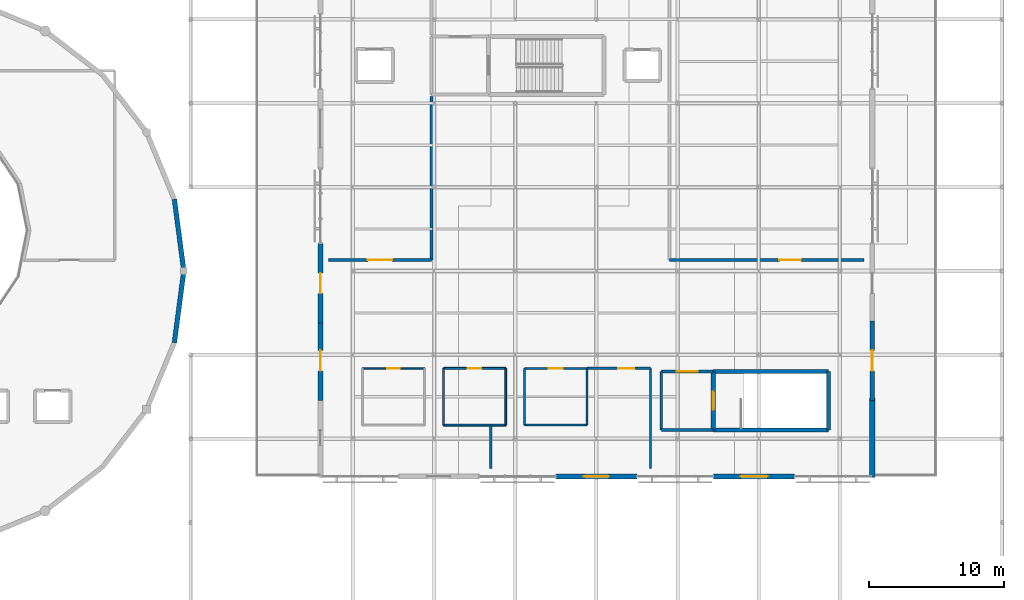
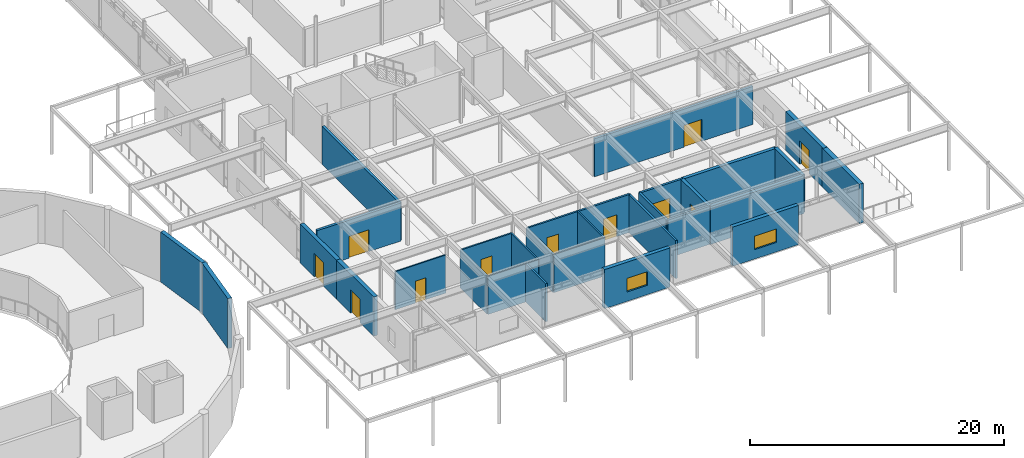
# One storey, part 41 of 48: 30 walls, 11 doors, 2 windows, 13 openings.
"""IFC4 building model written with IfcOpenShell, lengths in metres."""

from ifc_helpers import new_model, si_unit, direction, frame, frame_2d, origin, place, context, subcontext, project, spatial, rectangle, extrude, material, layer, layer_set, type_object, element, fill, save


model = new_model("IFC4")

# Units and contexts
model_context = context("Model", 3, precision=1e-05, world=origin(), true_north=direction((0.0, 1.0)))
body_context = subcontext(model_context, "Body", "Model", "MODEL_VIEW")
ifc_project = project(units=[si_unit("LENGTHUNIT", "METRE"), si_unit("AREAUNIT", "SQUARE_METRE"), si_unit("VOLUMEUNIT", "CUBIC_METRE"), si_unit("PLANEANGLEUNIT", "RADIAN"), si_unit("MASSUNIT", "GRAM", prefix="KILO")], contexts=[model_context])

# Site, building, storey
site_placement = place(None, origin())
site = spatial("IfcSite", under=ifc_project, at=site_placement, CompositionType="ELEMENT")
building_placement = place(site_placement, origin())
building = spatial("IfcBuilding", under=site, at=building_placement, Name="Mirzam Square Science Centre", CompositionType="ELEMENT")
storey_placement = place(building_placement, frame((0.0, 0.0, 20.39990234375)))
storey = spatial("IfcBuildingStorey", under=building, at=storey_placement, Name="L04", CompositionType="ELEMENT", Elevation=20.39990234375)

# Walls
ifc_material_1 = material(Name="Concrete C45/55", Category="concrete")
ifc_layer_1 = layer(ifc_material_1, 0.300048828125)
ifc_layer_set_1 = layer_set([ifc_layer_1], Name="W-CORE-300")
wall_type_1 = type_object("IfcWallType", Name="W-CORE-300", PredefinedType="SHEAR", material=ifc_layer_set_1)
for number, where, z_axis, x_axis, name in (
    (1, (140.639892578125, 50.239990234375, 0.0), (0.0, 0.0, 1.0), (1.0, 0.0, 0.0), "L04 CORE-5 south wall"),
    (2, (149.159912109375, 54.570068359375, 0.0), (0.0, 0.0, 1.0), (-1.0, 0.0, 0.0), "L04 CORE-5 north wall"),
):
    element("IfcWall", number, at=place(storey_placement, frame(where, z_axis=z_axis, x_axis=x_axis)), inside=storey, type_object=wall_type_1, Name=name, PredefinedType="SHEAR", context=body_context, shape_type="SweptSolid", body=[
        extrude(rectangle(XDim=8.52001953125, YDim=0.300048828125, at=frame_2d((4.260009765625, 0.0))), origin(), (0.0, 0.0, 1.0), 3.650146484375),
    ])

# Wall, opening, door
wall_1_placement = place(storey_placement, frame((140.639892578125, 54.570068359375, 0.0), z_axis=(0.0, 0.0, 1.0), x_axis=(0.0, -1.0, 0.0)))
wall_1 = element("IfcWall", 3, at=wall_1_placement, inside=storey, type_object=wall_type_1, Name="L04 CORE-5 west wall", PredefinedType="SHEAR", context=body_context, shape_type="SweptSolid", body=[
    extrude(rectangle(XDim=4.330078125, YDim=0.300048828125, at=frame_2d((2.1650390625, 0.0))), origin(), (0.0, 0.0, 1.0), 3.650146484375),
])
opening_1_placement = place(wall_1_placement, frame((1.489990234375, 0.0, 0.0)))
opening_1 = element("IfcOpeningElement", 4, at=opening_1_placement, cuts=wall_1, Name="Opening DS-01", PredefinedType="OPENING", context=body_context, shape_type="SweptSolid", body=[
    extrude(rectangle(XDim=1.35009765625, YDim=2.199951171875, at=frame_2d((0.675048828125, 1.10009765625))), frame((0.0, 0.159912109375, 0.0), z_axis=(0.0, -1.0, 0.0), x_axis=(1.0, 0.0, 0.0)), (0.0, 0.0, 1.0), 0.320068359375),
])
ifc_material_2 = material(Name="Fire-Rated Powder-Coated Architectural Steel Door", Category="steel")
door_type_1 = type_object("IfcDoorType", Name="DR-STAIR-1350x2200", OperationType="NOTDEFINED", PredefinedType="DOOR", material=ifc_material_2)
door_1_placement = place(opening_1_placement, origin())
door_1 = element("IfcDoor", 5, at=door_1_placement, inside=storey, type_object=door_type_1, Name="DRS-5-L04", OperationType="SINGLE_SWING_RIGHT", OverallHeight=2.199951171875, OverallWidth=1.35009765625, PredefinedType="DOOR", context=body_context, shape_type="SweptSolid", body=[
    extrude(rectangle(XDim=1.35009765625, YDim=2.199951171875, at=frame_2d((0.675048828125, 1.10009765625))), frame((0.0, 0.02490234375, 0.0), z_axis=(0.0, -1.0, 0.0), x_axis=(1.0, 0.0, 0.0)), (0.0, 0.0, 1.0), 0.050048828125),
])
fill(opening_1, door_1)

# Walls
wall_2_placement = place(storey_placement, frame((149.159912109375, 50.239990234375, 0.0), z_axis=(0.0, 0.0, 1.0), x_axis=(0.0, 1.0, 0.0)))
element("IfcWall", 6, at=wall_2_placement, inside=storey, type_object=wall_type_1, Name="L04 CORE-5 east wall", PredefinedType="SHEAR", context=body_context, shape_type="SweptSolid", body=[
    extrude(rectangle(XDim=4.330078125, YDim=0.300048828125, at=frame_2d((2.1650390625, 0.0))), origin(), (0.0, 0.0, 1.0), 3.650146484375),
])
ifc_layer_2 = layer(ifc_material_1, 0.35009765625)
ifc_layer_set_2 = layer_set([ifc_layer_2], Name="W-DRUM-350")
wall_type_2 = type_object("IfcWallType", Name="W-DRUM-350", PredefinedType="SHEAR", material=ifc_layer_set_2)
for number, where, z_axis, x_axis, name in (
    (7, (101.5, 62.0, 0.0), (0.0, 0.0, 1.0), (-0.130517056518, 0.991446064069, 0.0), "L04 planetarium drum wall 01"),
    (8, (100.801513671875, 56.694091796875, 0.0), (0.0, 0.0, 1.0), (0.130517056518, 0.991446064069, 0.0), "L04 planetarium drum wall 24"),
):
    element("IfcWall", number, at=place(storey_placement, frame(where, z_axis=z_axis, x_axis=x_axis)), inside=storey, type_object=wall_type_2, Name=name, PredefinedType="SHEAR", context=body_context, shape_type="SweptSolid", body=[
        extrude(rectangle(XDim=5.351806640625, YDim=0.35009765625, at=frame_2d((2.67578125, 0.0))), origin(), (0.0, 0.0, 1.0), 4.800048828125),
    ])

# Wall, opening, window
ifc_material_3 = material(Name="Insulated Sand-Toned GFRC Concrete C40/50", Category="concrete")
ifc_layer_3 = layer(ifc_material_3, 0.340087890625)
ifc_layer_set_3 = layer_set([ifc_layer_3], Name="W-EXT-GFRC-340")
wall_type_3 = type_object("IfcWallType", Name="W-EXT-GFRC-340", PredefinedType="SOLIDWALL", material=ifc_layer_set_3)
wall_3_placement = place(storey_placement, frame((129.0107421875, 46.800048828125, 0.0), z_axis=(0.0, 0.0, 1.0), x_axis=(1.0, 0.0, 0.0)))
wall_3 = element("IfcWall", 9, at=wall_3_placement, inside=storey, type_object=wall_type_3, Name="L04 external wall EW-EST-S-L04-04", PredefinedType="SOLIDWALL", context=body_context, shape_type="SweptSolid", body=[
    extrude(rectangle(XDim=5.978515625, YDim=0.340087890625, at=frame_2d((2.9892578125, 0.0))), origin(), (0.0, 0.0, 1.0), 3.760009765625),
])
opening_2_placement = place(wall_3_placement, frame((2.064208984375, 0.0, 0.89990234375)))
opening_2 = element("IfcOpeningElement", 10, at=opening_2_placement, cuts=wall_3, Name="Opening W-06", PredefinedType="OPENING", context=body_context, shape_type="SweptSolid", body=[
    extrude(rectangle(XDim=1.85009765625, YDim=1.300048828125, at=frame_2d((0.925048828125, 0.64990234375))), frame((0.0, 0.179931640625, 0.0), z_axis=(0.0, -1.0, 0.0), x_axis=(1.0, 0.0, 0.0)), (0.0, 0.0, 1.0), 0.360107421875),
])
ifc_material_4 = material(Name="Thermally Broken Bronze Aluminium and Low-E Glass", Category="aluminium")
window_type_1 = type_object("IfcWindowType", Name="WIN-1850x1300", PartitioningType="DOUBLE_PANEL_VERTICAL", PredefinedType="WINDOW", material=ifc_material_4)
window_1_placement = place(opening_2_placement, origin())
window_1 = element("IfcWindow", 11, at=window_1_placement, inside=storey, type_object=window_type_1, Name="L04 solar window 094", OverallHeight=1.300048828125, OverallWidth=1.85009765625, PartitioningType="DOUBLE_PANEL_VERTICAL", PredefinedType="WINDOW", context=body_context, shape_type="SweptSolid", body=[
    extrude(rectangle(XDim=1.85009765625, YDim=1.300048828125, at=frame_2d((0.925048828125, 0.64990234375))), frame((0.0, 0.030029296875, 0.0), z_axis=(0.0, -1.0, 0.0), x_axis=(1.0, 0.0, 0.0)), (0.0, 0.0, 1.0), 0.06005859375),
])
fill(opening_2, window_1)

wall_4_placement = place(storey_placement, frame((140.66796875, 46.800048828125, 0.0), z_axis=(0.0, 0.0, 1.0), x_axis=(1.0, 0.0, 0.0)))
wall_4 = element("IfcWall", 12, at=wall_4_placement, inside=storey, type_object=wall_type_3, Name="L04 external wall EW-EST-S-L04-06", PredefinedType="SOLIDWALL", context=body_context, shape_type="SweptSolid", body=[
    extrude(rectangle(XDim=5.978515625, YDim=0.340087890625, at=frame_2d((2.9892578125, 0.0))), origin(), (0.0, 0.0, 1.0), 3.760009765625),
])
opening_3_placement = place(wall_4_placement, frame((1.9892578125, 0.0, 0.89990234375)))
opening_3 = element("IfcOpeningElement", 13, at=opening_3_placement, cuts=wall_4, Name="Opening W-07", PredefinedType="OPENING", context=body_context, shape_type="SweptSolid", body=[
    extrude(rectangle(XDim=2.0, YDim=1.300048828125, at=frame_2d((1.0, 0.64990234375))), frame((0.0, 0.179931640625, 0.0), z_axis=(0.0, -1.0, 0.0), x_axis=(1.0, 0.0, 0.0)), (0.0, 0.0, 1.0), 0.360107421875),
])
window_type_2 = type_object("IfcWindowType", Name="WIN-2000x1300", PartitioningType="DOUBLE_PANEL_VERTICAL", PredefinedType="WINDOW", material=ifc_material_4)
window_2_placement = place(opening_3_placement, origin())
window_2 = element("IfcWindow", 14, at=window_2_placement, inside=storey, type_object=window_type_2, Name="L04 solar window 095", OverallHeight=1.300048828125, OverallWidth=2.0, PartitioningType="DOUBLE_PANEL_VERTICAL", PredefinedType="WINDOW", context=body_context, shape_type="SweptSolid", body=[
    extrude(rectangle(XDim=2.0, YDim=1.300048828125, at=frame_2d((1.0, 0.64990234375))), frame((0.0, 0.030029296875, 0.0), z_axis=(0.0, -1.0, 0.0), x_axis=(1.0, 0.0, 0.0)), (0.0, 0.0, 1.0), 0.06005859375),
])
fill(opening_3, window_2)

# Wall, opening, door
ifc_layer_4 = layer(ifc_material_3, 0.35498046875)
ifc_layer_set_4 = layer_set([ifc_layer_4], Name="W-EXT-GFRC-355")
wall_type_4 = type_object("IfcWallType", Name="W-EXT-GFRC-355", PredefinedType="SOLIDWALL", material=ifc_layer_set_4)
wall_5_placement = place(storey_placement, frame((152.39990234375, 52.439208984375, 0.0), z_axis=(0.0, 0.0, 1.0), x_axis=(0.0, 1.0, 0.0)))
wall_5 = element("IfcWall", 15, at=wall_5_placement, inside=storey, type_object=wall_type_4, Name="L04 external wall EW-EST-E-L04-02", PredefinedType="SOLIDWALL", context=body_context, shape_type="SweptSolid", body=[
    extrude(rectangle(XDim=5.864501953125, YDim=0.35498046875, at=frame_2d((2.93212890625, 0.0))), origin(), (0.0, 0.0, 1.0), 3.760009765625),
])
opening_4_placement = place(wall_5_placement, frame((2.18212890625, 0.0, 0.0)))
opening_4 = element("IfcOpeningElement", 16, at=opening_4_placement, cuts=wall_5, Name="Opening TD-02", PredefinedType="OPENING", context=body_context, shape_type="SweptSolid", body=[
    extrude(rectangle(XDim=1.5, YDim=2.25, at=frame_2d((0.75, 1.125))), frame((0.0, 0.1875, 0.0), z_axis=(0.0, -1.0, 0.0), x_axis=(1.0, 0.0, 0.0)), (0.0, 0.0, 1.0), 0.375),
])
ifc_material_5 = material(Name="Thermally Broken Bronze-Anodised Aluminium and Laminated Glass", Category="aluminium")
door_type_2 = type_object("IfcDoorType", Name="DR-TERR-1500x2250", OperationType="DOUBLE_DOOR_SINGLE_SWING", PredefinedType="DOOR", material=ifc_material_5)
door_2_placement = place(opening_4_placement, frame((1.5, 0.0, 0.0), z_axis=(0.0, 0.0, 1.0), x_axis=(-1.0, 0.0, 0.0)))
door_2 = element("IfcDoor", 17, at=door_2_placement, inside=storey, type_object=door_type_2, Name="ED-L04-025", OperationType="DOUBLE_DOOR_SINGLE_SWING", OverallHeight=2.25, OverallWidth=1.5, PredefinedType="DOOR", context=body_context, shape_type="SweptSolid", body=[
    extrude(rectangle(XDim=1.5, YDim=2.25, at=frame_2d((0.75, 1.125))), frame((0.0, 0.02490234375, 0.0), z_axis=(0.0, -1.0, 0.0), x_axis=(1.0, 0.0, 0.0)), (0.0, 0.0, 1.0), 0.050048828125),
])
fill(opening_4, door_2)

wall_6_placement = place(storey_placement, frame((111.60009765625, 64.017822265625, 0.0), z_axis=(0.0, 0.0, 1.0), x_axis=(0.0, -1.0, 0.0)))
wall_6 = element("IfcWall", 18, at=wall_6_placement, inside=storey, type_object=wall_type_4, Name="L04 external wall EW-EST-W-L04-05", PredefinedType="SOLIDWALL", context=body_context, shape_type="SweptSolid", body=[
    extrude(rectangle(XDim=5.8642578125, YDim=0.35498046875, at=frame_2d((2.93212890625, 0.0))), origin(), (0.0, 0.0, 1.0), 3.760009765625),
])
opening_5_placement = place(wall_6_placement, frame((2.18212890625, 0.0, 0.0)))
opening_5 = element("IfcOpeningElement", 19, at=opening_5_placement, cuts=wall_6, Name="Opening TD-02", PredefinedType="OPENING", context=body_context, shape_type="SweptSolid", body=[
    extrude(rectangle(XDim=1.5, YDim=2.25, at=frame_2d((0.75, 1.125))), frame((0.0, 0.1875, 0.0), z_axis=(0.0, -1.0, 0.0), x_axis=(1.0, 0.0, 0.0)), (0.0, 0.0, 1.0), 0.375),
])
door_3_placement = place(opening_5_placement, frame((1.5, 0.0, 0.0), z_axis=(0.0, 0.0, 1.0), x_axis=(-1.0, 0.0, 0.0)))
door_3 = element("IfcDoor", 20, at=door_3_placement, inside=storey, type_object=door_type_2, Name="ED-L04-027", OperationType="DOUBLE_DOOR_SINGLE_SWING", OverallHeight=2.25, OverallWidth=1.5, PredefinedType="DOOR", context=body_context, shape_type="SweptSolid", body=[
    extrude(rectangle(XDim=1.5, YDim=2.25, at=frame_2d((0.75, 1.125))), frame((0.0, 0.02490234375, 0.0), z_axis=(0.0, -1.0, 0.0), x_axis=(1.0, 0.0, 0.0)), (0.0, 0.0, 1.0), 0.050048828125),
])
fill(opening_5, door_3)

wall_7_placement = place(storey_placement, frame((111.60009765625, 58.3037109375, 0.0), z_axis=(0.0, 0.0, 1.0), x_axis=(0.0, -1.0, 0.0)))
wall_7 = element("IfcWall", 21, at=wall_7_placement, inside=storey, type_object=wall_type_4, Name="L04 external wall EW-EST-W-L04-06", PredefinedType="SOLIDWALL", context=body_context, shape_type="SweptSolid", body=[
    extrude(rectangle(XDim=5.864501953125, YDim=0.35498046875, at=frame_2d((2.93212890625, 0.0))), origin(), (0.0, 0.0, 1.0), 3.760009765625),
])
opening_6_placement = place(wall_7_placement, frame((2.18212890625, 0.0, 0.0)))
opening_6 = element("IfcOpeningElement", 22, at=opening_6_placement, cuts=wall_7, Name="Opening TD-02", PredefinedType="OPENING", context=body_context, shape_type="SweptSolid", body=[
    extrude(rectangle(XDim=1.5, YDim=2.25, at=frame_2d((0.75, 1.125))), frame((0.0, 0.1875, 0.0), z_axis=(0.0, -1.0, 0.0), x_axis=(1.0, 0.0, 0.0)), (0.0, 0.0, 1.0), 0.375),
])
door_4_placement = place(opening_6_placement, frame((1.5, 0.0, 0.0), z_axis=(0.0, 0.0, 1.0), x_axis=(-1.0, 0.0, 0.0)))
door_4 = element("IfcDoor", 23, at=door_4_placement, inside=storey, type_object=door_type_2, Name="ED-L04-028", OperationType="DOUBLE_DOOR_SINGLE_SWING", OverallHeight=2.25, OverallWidth=1.5, PredefinedType="DOOR", context=body_context, shape_type="SweptSolid", body=[
    extrude(rectangle(XDim=1.5, YDim=2.25, at=frame_2d((0.75, 1.125))), frame((0.0, 0.02490234375, 0.0), z_axis=(0.0, -1.0, 0.0), x_axis=(1.0, 0.0, 0.0)), (0.0, 0.0, 1.0), 0.050048828125),
])
fill(opening_6, door_4)

# Walls
ifc_layer_5 = layer(ifc_material_3, 0.385009765625)
ifc_layer_set_5 = layer_set([ifc_layer_5], Name="W-EXT-GFRC-385")
wall_type_5 = type_object("IfcWallType", Name="W-EXT-GFRC-385", PredefinedType="SOLIDWALL", material=ifc_layer_set_5)
wall_8_placement = place(storey_placement, frame((152.39990234375, 46.72509765625, 0.0), z_axis=(0.0, 0.0, 1.0), x_axis=(0.0, 1.0, 0.0)))
element("IfcWall", 24, at=wall_8_placement, inside=storey, type_object=wall_type_5, Name="L04 external wall EW-EST-E-L04-01", PredefinedType="SOLIDWALL", context=body_context, shape_type="SweptSolid", body=[
    extrude(rectangle(XDim=5.8642578125, YDim=0.385009765625, at=frame_2d((2.93212890625, 0.0))), origin(), (0.0, 0.0, 1.0), 3.760009765625),
])
ifc_layer_6 = layer(ifc_material_1, 0.199951171875)
ifc_layer_set_6 = layer_set([ifc_layer_6], Name="W-LOBBY-200")
wall_type_6 = type_object("IfcWallType", Name="W-LOBBY-200", PredefinedType="SHEAR", material=ifc_layer_set_6)
wall_9_placement = place(storey_placement, frame((136.800048828125, 50.239990234375, 0.0), z_axis=(0.0, 0.0, 1.0), x_axis=(1.0, 0.0, 0.0)))
element("IfcWall", 25, at=wall_9_placement, inside=storey, type_object=wall_type_6, Name="L04 CORE-5 lobby south wall", PredefinedType="SHEAR", context=body_context, shape_type="SweptSolid", body=[
    extrude(rectangle(XDim=3.83984375, YDim=0.199951171875, at=frame_2d((1.919921875, 0.0))), origin(), (0.0, 0.0, 1.0), 3.650146484375),
])

# Wall, opening, door
wall_10_placement = place(storey_placement, frame((140.639892578125, 54.570068359375, 0.0), z_axis=(0.0, 0.0, 1.0), x_axis=(-1.0, 0.0, 0.0)))
wall_10 = element("IfcWall", 26, at=wall_10_placement, inside=storey, type_object=wall_type_6, Name="L04 CORE-5 lobby north wall", PredefinedType="SHEAR", context=body_context, shape_type="SweptSolid", body=[
    extrude(rectangle(XDim=3.83984375, YDim=0.199951171875, at=frame_2d((1.919921875, 0.0))), origin(), (0.0, 0.0, 1.0), 3.650146484375),
])
opening_7_placement = place(wall_10_placement, frame((1.14501953125, 0.0, 0.0)))
opening_7 = element("IfcOpeningElement", 27, at=opening_7_placement, cuts=wall_10, Name="Opening DL-01", PredefinedType="OPENING", context=body_context, shape_type="SweptSolid", body=[
    extrude(rectangle(XDim=1.550048828125, YDim=2.199951171875, at=frame_2d((0.77490234375, 1.10009765625))), frame((0.0, 0.10986328125, 0.0), z_axis=(0.0, -1.0, 0.0), x_axis=(1.0, 0.0, 0.0)), (0.0, 0.0, 1.0), 0.219970703125),
])
ifc_material_6 = material(Name="Fire-Rated Glazed Architectural Steel Lobby Door", Category="steel")
door_type_3 = type_object("IfcDoorType", Name="DR-LOBBY-1550x2200", OperationType="DOUBLE_DOOR_SINGLE_SWING", PredefinedType="DOOR", material=ifc_material_6)
door_5_placement = place(opening_7_placement, origin())
door_5 = element("IfcDoor", 28, at=door_5_placement, inside=storey, type_object=door_type_3, Name="DRL-5-L04", OperationType="SINGLE_SWING_LEFT", OverallHeight=2.199951171875, OverallWidth=1.550048828125, PredefinedType="DOOR", context=body_context, shape_type="SweptSolid", body=[
    extrude(rectangle(XDim=1.550048828125, YDim=2.199951171875, at=frame_2d((0.77490234375, 1.10009765625))), frame((0.0, 0.02490234375, 0.0), z_axis=(0.0, -1.0, 0.0), x_axis=(1.0, 0.0, 0.0)), (0.0, 0.0, 1.0), 0.050048828125),
])
fill(opening_7, door_5)

# Wall
wall_11_placement = place(storey_placement, frame((136.800048828125, 54.570068359375, 0.0), z_axis=(0.0, 0.0, 1.0), x_axis=(0.0, -1.0, 0.0)))
element("IfcWall", 29, at=wall_11_placement, inside=storey, type_object=wall_type_6, Name="L04 CORE-5 lobby west wall", PredefinedType="SHEAR", context=body_context, shape_type="SweptSolid", body=[
    extrude(rectangle(XDim=4.330078125, YDim=0.199951171875, at=frame_2d((2.1650390625, 0.0))), origin(), (0.0, 0.0, 1.0), 3.650146484375),
])

# Wall, opening, door
ifc_material_7 = material(Name="Acoustic Gypsum Stud Partition", Category="gypsum")
ifc_layer_7 = layer(ifc_material_7, 0.1201171875)
ifc_layer_set_7 = layer_set([ifc_layer_7], Name="W-PART-120")
wall_type_7 = type_object("IfcWallType", Name="W-PART-120", PredefinedType="PARTITIONING", material=ifc_layer_set_7)
wall_12_placement = place(storey_placement, frame((114.699951171875, 54.800048828125, 0.0), z_axis=(0.0, 0.0, 1.0), x_axis=(1.0, 0.0, 0.0)))
wall_12 = element("IfcWall", 30, at=wall_12_placement, inside=storey, type_object=wall_type_7, Name="L04 Male WC L04 partition 262", PredefinedType="PARTITIONING", context=body_context, shape_type="SweptSolid", body=[
    extrude(rectangle(XDim=4.60009765625, YDim=0.1201171875, at=frame_2d((2.300048828125, 0.0))), origin(), (0.0, 0.0, 1.0), 3.650146484375),
])
opening_8_placement = place(wall_12_placement, frame((1.824951171875, 0.0, 0.0)))
opening_8 = element("IfcOpeningElement", 31, at=opening_8_placement, cuts=wall_12, Name="Opening D-02", PredefinedType="OPENING", context=body_context, shape_type="SweptSolid", body=[
    extrude(rectangle(XDim=0.949951171875, YDim=2.10009765625, at=frame_2d((0.47509765625, 1.050048828125))), frame((0.0, 0.070068359375, 0.0), z_axis=(0.0, -1.0, 0.0), x_axis=(1.0, 0.0, 0.0)), (0.0, 0.0, 1.0), 0.14013671875),
])
ifc_material_8 = material(Name="Solid Core Acoustic Oak Timber Door", Category="wood")
door_type_4 = type_object("IfcDoorType", Name="DR-INT-950x2100", OperationType="NOTDEFINED", PredefinedType="DOOR", material=ifc_material_8)
door_6_placement = place(opening_8_placement, origin())
door_6 = element("IfcDoor", 32, at=door_6_placement, inside=storey, type_object=door_type_4, Name="ID-L04-0073", OperationType="SINGLE_SWING_RIGHT", OverallHeight=2.10009765625, OverallWidth=0.949951171875, PredefinedType="DOOR", context=body_context, shape_type="SweptSolid", body=[
    extrude(rectangle(XDim=0.949951171875, YDim=2.10009765625, at=frame_2d((0.47509765625, 1.050048828125))), frame((0.0, 0.02490234375, 0.0), z_axis=(0.0, -1.0, 0.0), x_axis=(1.0, 0.0, 0.0)), (0.0, 0.0, 1.0), 0.050048828125),
])
fill(opening_8, door_6)

ifc_material_9 = material(Name="Double-Board Gypsum Partition", Category="gypsum")
ifc_layer_8 = layer(ifc_material_9, 0.135009765625)
ifc_layer_set_8 = layer_set([ifc_layer_8], Name="W-PART-135")
wall_type_8 = type_object("IfcWallType", Name="W-PART-135", PredefinedType="PARTITIONING", material=ifc_layer_set_8)
wall_13_placement = place(storey_placement, frame((120.699951171875, 54.800048828125, 0.0), z_axis=(0.0, 0.0, 1.0), x_axis=(1.0, 0.0, 0.0)))
wall_13 = element("IfcWall", 33, at=wall_13_placement, inside=storey, type_object=wall_type_8, Name="L04 Female WC L04 partition 266", PredefinedType="PARTITIONING", context=body_context, shape_type="SweptSolid", body=[
    extrude(rectangle(XDim=4.60009765625, YDim=0.135009765625, at=frame_2d((2.300048828125, 0.0))), origin(), (0.0, 0.0, 1.0), 3.650146484375),
])
opening_9_placement = place(wall_13_placement, frame((1.800048828125, 0.0, 0.0)))
opening_9 = element("IfcOpeningElement", 34, at=opening_9_placement, cuts=wall_13, Name="Opening D-03", PredefinedType="OPENING", context=body_context, shape_type="SweptSolid", body=[
    extrude(rectangle(XDim=1.0, YDim=2.10009765625, at=frame_2d((0.5, 1.050048828125))), frame((0.0, 0.077392578125, 0.0), z_axis=(0.0, -1.0, 0.0), x_axis=(1.0, 0.0, 0.0)), (0.0, 0.0, 1.0), 0.155029296875),
])
door_type_5 = type_object("IfcDoorType", Name="DR-INT-1000x2100", OperationType="NOTDEFINED", PredefinedType="DOOR", material=ifc_material_8)
door_7_placement = place(opening_9_placement, origin())
door_7 = element("IfcDoor", 35, at=door_7_placement, inside=storey, type_object=door_type_5, Name="ID-L04-0074", OperationType="SINGLE_SWING_LEFT", OverallHeight=2.10009765625, OverallWidth=1.0, PredefinedType="DOOR", context=body_context, shape_type="SweptSolid", body=[
    extrude(rectangle(XDim=1.0, YDim=2.10009765625, at=frame_2d((0.5, 1.050048828125))), frame((0.0, 0.02490234375, 0.0), z_axis=(0.0, -1.0, 0.0), x_axis=(1.0, 0.0, 0.0)), (0.0, 0.0, 1.0), 0.050048828125),
])
fill(opening_9, door_7)

# Walls
wall_14_placement = place(storey_placement, frame((125.300048828125, 54.800048828125, 0.0), z_axis=(0.0, 0.0, 1.0), x_axis=(0.0, -1.0, 0.0)))
element("IfcWall", 36, at=wall_14_placement, inside=storey, type_object=wall_type_8, Name="L04 Female WC L04 partition 267", PredefinedType="PARTITIONING", context=body_context, shape_type="SweptSolid", body=[
    extrude(rectangle(XDim=4.199951171875, YDim=0.135009765625, at=frame_2d((2.10009765625, 0.0))), origin(), (0.0, 0.0, 1.0), 3.650146484375),
])
wall_15_placement = place(storey_placement, frame((125.300048828125, 50.60009765625, 0.0), z_axis=(0.0, 0.0, 1.0), x_axis=(-1.0, 0.0, 0.0)))
element("IfcWall", 37, at=wall_15_placement, inside=storey, type_object=wall_type_8, Name="L04 Female WC L04 partition 268", PredefinedType="PARTITIONING", context=body_context, shape_type="SweptSolid", body=[
    extrude(rectangle(XDim=4.60009765625, YDim=0.135009765625, at=frame_2d((2.300048828125, 0.0))), origin(), (0.0, 0.0, 1.0), 3.650146484375),
])
wall_16_placement = place(storey_placement, frame((120.699951171875, 50.60009765625, 0.0), z_axis=(0.0, 0.0, 1.0), x_axis=(0.0, 1.0, 0.0)))
element("IfcWall", 38, at=wall_16_placement, inside=storey, type_object=wall_type_8, Name="L04 Female WC L04 partition 269", PredefinedType="PARTITIONING", context=body_context, shape_type="SweptSolid", body=[
    extrude(rectangle(XDim=4.199951171875, YDim=0.135009765625, at=frame_2d((2.10009765625, 0.0))), origin(), (0.0, 0.0, 1.0), 3.650146484375),
])

# Wall, opening, door
ifc_material_10 = material(Name="Laboratory Acoustic Partition", Category="gypsum")
ifc_layer_9 = layer(ifc_material_10, 0.14990234375)
ifc_layer_set_9 = layer_set([ifc_layer_9], Name="W-PART-150")
wall_type_9 = type_object("IfcWallType", Name="W-PART-150", PredefinedType="PARTITIONING", material=ifc_layer_set_9)
wall_17_placement = place(storey_placement, frame((126.699951171875, 54.800048828125, 0.0), z_axis=(0.0, 0.0, 1.0), x_axis=(1.0, 0.0, 0.0)))
wall_17 = element("IfcWall", 39, at=wall_17_placement, inside=storey, type_object=wall_type_9, Name="L04 Accessible WC L04 partition 270", PredefinedType="PARTITIONING", context=body_context, shape_type="SweptSolid", body=[
    extrude(rectangle(XDim=4.60009765625, YDim=0.14990234375, at=frame_2d((2.300048828125, 0.0))), origin(), (0.0, 0.0, 1.0), 3.650146484375),
])
opening_10_placement = place(wall_17_placement, frame((1.77490234375, 0.0, 0.0)))
opening_10 = element("IfcOpeningElement", 40, at=opening_10_placement, cuts=wall_17, Name="Opening D-04", PredefinedType="OPENING", context=body_context, shape_type="SweptSolid", body=[
    extrude(rectangle(XDim=1.050048828125, YDim=2.10009765625, at=frame_2d((0.52490234375, 1.050048828125))), frame((0.0, 0.0849609375, 0.0), z_axis=(0.0, -1.0, 0.0), x_axis=(1.0, 0.0, 0.0)), (0.0, 0.0, 1.0), 0.169921875),
])
door_type_6 = type_object("IfcDoorType", Name="DR-INT-1050x2100", OperationType="NOTDEFINED", PredefinedType="DOOR", material=ifc_material_8)
door_8_placement = place(opening_10_placement, origin())
door_8 = element("IfcDoor", 41, at=door_8_placement, inside=storey, type_object=door_type_6, Name="ID-L04-0075", OperationType="SINGLE_SWING_RIGHT", OverallHeight=2.10009765625, OverallWidth=1.050048828125, PredefinedType="DOOR", context=body_context, shape_type="SweptSolid", body=[
    extrude(rectangle(XDim=1.050048828125, YDim=2.10009765625, at=frame_2d((0.52490234375, 1.050048828125))), frame((0.0, 0.02490234375, 0.0), z_axis=(0.0, -1.0, 0.0), x_axis=(1.0, 0.0, 0.0)), (0.0, 0.0, 1.0), 0.050048828125),
])
fill(opening_10, door_8)

# Walls
wall_18_placement = place(storey_placement, frame((131.300048828125, 54.800048828125, 0.0), z_axis=(0.0, 0.0, 1.0), x_axis=(0.0, -1.0, 0.0)))
element("IfcWall", 42, at=wall_18_placement, inside=storey, type_object=wall_type_9, Name="L04 Accessible WC L04 partition 271", PredefinedType="PARTITIONING", context=body_context, shape_type="SweptSolid", body=[
    extrude(rectangle(XDim=4.199951171875, YDim=0.14990234375, at=frame_2d((2.10009765625, 0.0))), origin(), (0.0, 0.0, 1.0), 3.650146484375),
])
wall_19_placement = place(storey_placement, frame((131.300048828125, 50.60009765625, 0.0), z_axis=(0.0, 0.0, 1.0), x_axis=(-1.0, 0.0, 0.0)))
element("IfcWall", 43, at=wall_19_placement, inside=storey, type_object=wall_type_9, Name="L04 Accessible WC L04 partition 272", PredefinedType="PARTITIONING", context=body_context, shape_type="SweptSolid", body=[
    extrude(rectangle(XDim=4.60009765625, YDim=0.14990234375, at=frame_2d((2.300048828125, 0.0))), origin(), (0.0, 0.0, 1.0), 3.650146484375),
])
wall_20_placement = place(storey_placement, frame((126.699951171875, 50.60009765625, 0.0), z_axis=(0.0, 0.0, 1.0), x_axis=(0.0, 1.0, 0.0)))
element("IfcWall", 44, at=wall_20_placement, inside=storey, type_object=wall_type_9, Name="L04 Accessible WC L04 partition 273", PredefinedType="PARTITIONING", context=body_context, shape_type="SweptSolid", body=[
    extrude(rectangle(XDim=4.199951171875, YDim=0.14990234375, at=frame_2d((2.10009765625, 0.0))), origin(), (0.0, 0.0, 1.0), 3.650146484375),
])
ifc_material_11 = material(Name="Workshop Acoustic Masonry Partition", Category="masonry")
ifc_layer_10 = layer(ifc_material_11, 0.179931640625)
ifc_layer_set_10 = layer_set([ifc_layer_10], Name="W-PART-180")
wall_type_10 = type_object("IfcWallType", Name="W-PART-180", PredefinedType="PARTITIONING", material=ifc_layer_set_10)
wall_21_placement = place(storey_placement, frame((136.0, 54.800048828125, 0.0), z_axis=(0.0, 0.0, 1.0), x_axis=(0.0, -1.0, 0.0)))
element("IfcWall", 45, at=wall_21_placement, inside=storey, type_object=wall_type_10, Name="L04 Astrophysics Data Dry Laboratory 4 partition 277", PredefinedType="PARTITIONING", context=body_context, shape_type="SweptSolid", body=[
    extrude(rectangle(XDim=7.400146484375, YDim=0.179931640625, at=frame_2d((3.7001953125, 0.0))), origin(), (0.0, 0.0, 1.0), 3.650146484375),
])
wall_22_placement = place(storey_placement, frame((124.199951171875, 47.39990234375, 0.0), z_axis=(0.0, 0.0, 1.0), x_axis=(0.0, 1.0, 0.0)))
element("IfcWall", 46, at=wall_22_placement, inside=storey, type_object=wall_type_10, Name="L04 Astrophysics Data Dry Laboratory 4 partition 278", PredefinedType="PARTITIONING", context=body_context, shape_type="SweptSolid", body=[
    extrude(rectangle(XDim=3.190185546875, YDim=0.179931640625, at=frame_2d((1.59521484375, 0.0))), origin(), (0.0, 0.0, 1.0), 3.650146484375),
])

# Wall, opening, door
wall_23_placement = place(storey_placement, frame((131.31005859375, 54.800048828125, 0.0), z_axis=(0.0, 0.0, 1.0), x_axis=(1.0, 0.0, 0.0)))
wall_23 = element("IfcWall", 47, at=wall_23_placement, inside=storey, type_object=wall_type_10, Name="L04 Astrophysics Data Dry Laboratory 4 partition 279", PredefinedType="PARTITIONING", context=body_context, shape_type="SweptSolid", body=[
    extrude(rectangle(XDim=4.68994140625, YDim=0.179931640625, at=frame_2d((2.344970703125, 0.0))), origin(), (0.0, 0.0, 1.0), 3.650146484375),
])
opening_11_placement = place(wall_23_placement, frame((2.307861328125, 0.0, 0.0)))
opening_11 = element("IfcOpeningElement", 48, at=opening_11_placement, cuts=wall_23, Name="Opening D-06", PredefinedType="OPENING", context=body_context, shape_type="SweptSolid", body=[
    extrude(rectangle(XDim=1.199951171875, YDim=2.10009765625, at=frame_2d((0.60009765625, 1.050048828125))), frame((0.0, 0.099853515625, 0.0), z_axis=(0.0, -1.0, 0.0), x_axis=(1.0, 0.0, 0.0)), (0.0, 0.0, 1.0), 0.199951171875),
])
door_type_7 = type_object("IfcDoorType", Name="DR-INT-1200x2100", OperationType="NOTDEFINED", PredefinedType="DOOR", material=ifc_material_8)
door_9_placement = place(opening_11_placement, origin())
door_9 = element("IfcDoor", 49, at=door_9_placement, inside=storey, type_object=door_type_7, Name="ID-L04-0077", OperationType="SINGLE_SWING_RIGHT", OverallHeight=2.10009765625, OverallWidth=1.199951171875, PredefinedType="DOOR", context=body_context, shape_type="SweptSolid", body=[
    extrude(rectangle(XDim=1.199951171875, YDim=2.10009765625, at=frame_2d((0.60009765625, 1.050048828125))), frame((0.0, 0.02490234375, 0.0), z_axis=(0.0, -1.0, 0.0), x_axis=(1.0, 0.0, 0.0)), (0.0, 0.0, 1.0), 0.050048828125),
])
fill(opening_11, door_9)

ifc_material_12 = material(Name="Chemical Prep Fire Partition Concrete C30/37", Category="concrete")
ifc_layer_11 = layer(ifc_material_12, 0.215087890625)
ifc_layer_set_11 = layer_set([ifc_layer_11], Name="W-PART-215")
wall_type_11 = type_object("IfcWallType", Name="W-PART-215", PredefinedType="PARTITIONING", material=ifc_layer_set_11)
wall_24_placement = place(storey_placement, frame((151.800048828125, 62.800048828125, 0.0), z_axis=(0.0, 0.0, 1.0), x_axis=(-1.0, 0.0, 0.0)))
wall_24 = element("IfcWall", 50, at=wall_24_placement, inside=storey, type_object=wall_type_11, Name="L04 Telescope Optics School Workshop 6 partition 288", PredefinedType="PARTITIONING", context=body_context, shape_type="SweptSolid", body=[
    extrude(rectangle(XDim=14.400146484375, YDim=0.215087890625, at=frame_2d((7.2001953125, 0.0))), origin(), (0.0, 0.0, 1.0), 3.650146484375),
])
opening_12_placement = place(wall_24_placement, frame((4.672119140625, 0.0, 0.0)))
opening_12 = element("IfcOpeningElement", 51, at=opening_12_placement, cuts=wall_24, Name="Opening D-08", PredefinedType="OPENING", context=body_context, shape_type="SweptSolid", body=[
    extrude(rectangle(XDim=1.60009765625, YDim=2.10009765625, at=frame_2d((0.800048828125, 1.050048828125))), frame((0.0, 0.117431640625, 0.0), z_axis=(0.0, -1.0, 0.0), x_axis=(1.0, 0.0, 0.0)), (0.0, 0.0, 1.0), 0.235107421875),
])
door_type_8 = type_object("IfcDoorType", Name="DR-INT-1600x2100", OperationType="DOUBLE_DOOR_SINGLE_SWING", PredefinedType="DOOR", material=ifc_material_8)
door_10_placement = place(opening_12_placement, origin())
door_10 = element("IfcDoor", 52, at=door_10_placement, inside=storey, type_object=door_type_8, Name="ID-L04-0079", OperationType="DOUBLE_DOOR_SINGLE_SWING", OverallHeight=2.10009765625, OverallWidth=1.60009765625, PredefinedType="DOOR", context=body_context, shape_type="SweptSolid", body=[
    extrude(rectangle(XDim=1.60009765625, YDim=2.10009765625, at=frame_2d((0.800048828125, 1.050048828125))), frame((0.0, 0.02490234375, 0.0), z_axis=(0.0, -1.0, 0.0), x_axis=(1.0, 0.0, 0.0)), (0.0, 0.0, 1.0), 0.050048828125),
])
fill(opening_12, door_10)

ifc_material_13 = material(Name="Gallery Display Backing Wall Concrete C30/37", Category="concrete")
ifc_layer_12 = layer(ifc_material_13, 0.22998046875)
ifc_layer_set_12 = layer_set([ifc_layer_12], Name="W-PART-230")
wall_type_12 = type_object("IfcWallType", Name="W-PART-230", PredefinedType="PARTITIONING", material=ifc_layer_set_12)
wall_25_placement = place(storey_placement, frame((119.800048828125, 62.800048828125, 0.0), z_axis=(0.0, 0.0, 1.0), x_axis=(-1.0, 0.0, 0.0)))
wall_25 = element("IfcWall", 53, at=wall_25_placement, inside=storey, type_object=wall_type_12, Name="L04 Mirzam Public Science Library partition 290", PredefinedType="PARTITIONING", context=body_context, shape_type="SweptSolid", body=[
    extrude(rectangle(XDim=7.60009765625, YDim=0.22998046875, at=frame_2d((3.800048828125, 0.0))), origin(), (0.0, 0.0, 1.0), 3.650146484375),
])
opening_13_placement = place(wall_25_placement, frame((2.89990234375, 0.0, 0.0)))
opening_13 = element("IfcOpeningElement", 54, at=opening_13_placement, cuts=wall_25, Name="Opening D-09", PredefinedType="OPENING", context=body_context, shape_type="SweptSolid", body=[
    extrude(rectangle(XDim=1.800048828125, YDim=2.10009765625, at=frame_2d((0.89990234375, 1.050048828125))), frame((0.0, 0.125, 0.0), z_axis=(0.0, -1.0, 0.0), x_axis=(1.0, 0.0, 0.0)), (0.0, 0.0, 1.0), 0.25),
])
ifc_material_14 = material(Name="Powder-Coated Architectural Steel Acoustic Door", Category="steel")
door_type_9 = type_object("IfcDoorType", Name="DR-INT-1800x2100", OperationType="DOUBLE_DOOR_SINGLE_SWING", PredefinedType="DOOR", material=ifc_material_14)
door_11_placement = place(opening_13_placement, origin())
door_11 = element("IfcDoor", 55, at=door_11_placement, inside=storey, type_object=door_type_9, Name="ID-L04-0080", OperationType="DOUBLE_DOOR_SINGLE_SWING", OverallHeight=2.10009765625, OverallWidth=1.800048828125, PredefinedType="DOOR", context=body_context, shape_type="SweptSolid", body=[
    extrude(rectangle(XDim=1.800048828125, YDim=2.10009765625, at=frame_2d((0.89990234375, 1.050048828125))), frame((0.0, 0.02490234375, 0.0), z_axis=(0.0, -1.0, 0.0), x_axis=(1.0, 0.0, 0.0)), (0.0, 0.0, 1.0), 0.050048828125),
])
fill(opening_13, door_11)

# Wall
wall_26_placement = place(storey_placement, frame((119.800048828125, 74.89990234375, 0.0), z_axis=(0.0, 0.0, 1.0), x_axis=(0.0, -1.0, 0.0)))
element("IfcWall", 56, at=wall_26_placement, inside=storey, type_object=wall_type_12, Name="L04 Mirzam Public Science Library partition 293", PredefinedType="PARTITIONING", context=body_context, shape_type="SweptSolid", body=[
    extrude(rectangle(XDim=12.099853515625, YDim=0.22998046875, at=frame_2d((6.0498046875, 0.0))), origin(), (0.0, 0.0, 1.0), 3.650146484375),
])

save(model, "model.ifc")
